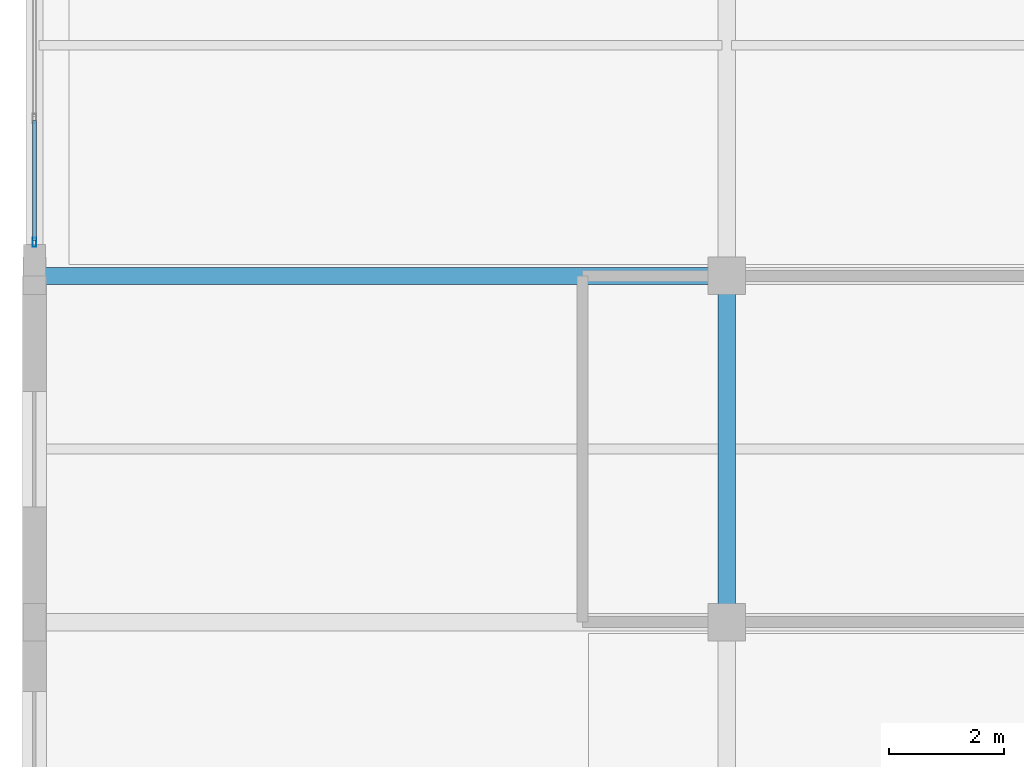
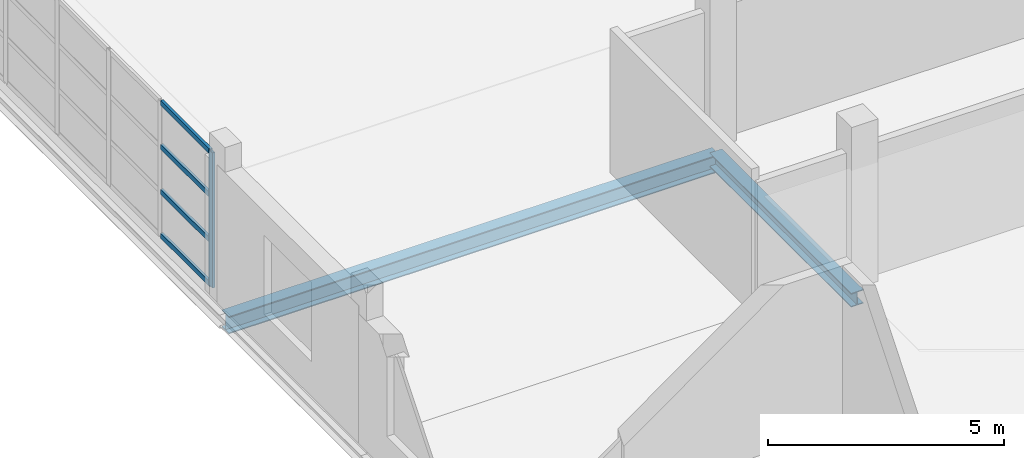
# One storey, part 54 of 158: 5 members, 2 beams, 1 element without a shape of its own.
"""IFC4 building model written with IfcOpenShell, lengths in metres."""

from ifc_helpers import new_model, si_unit, direction, frame, origin, origin_2d, place, context, subcontext, project, spatial, hollow_rectangle, i_section, extrude, material, layer, layer_set, material_profile, profile_set, type_object, element, aggregate, save


model = new_model("IFC4")

# Units and contexts
model_context = context("Model", 3, precision=1e-05, world=origin(), true_north=direction((0.0, 1.0)))
body_context = subcontext(model_context, "Body", "Model", "MODEL_VIEW")
ifc_project = project(units=[si_unit("LENGTHUNIT", "METRE"), si_unit("AREAUNIT", "SQUARE_METRE"), si_unit("VOLUMEUNIT", "CUBIC_METRE"), si_unit("PLANEANGLEUNIT", "RADIAN"), si_unit("MASSUNIT", "GRAM", prefix="KILO")], contexts=[model_context])

# Site, building, storey
site_placement = place(None, origin())
site = spatial("IfcSite", under=ifc_project, at=site_placement, CompositionType="ELEMENT")
building_placement = place(site_placement, origin())
building = spatial("IfcBuilding", under=site, at=building_placement, Name="Zilviju Railside Exhibition Hall", CompositionType="ELEMENT")
storey_placement = place(building_placement, frame((0.0, 0.0, 4.199951171875)))
storey = spatial("IfcBuildingStorey", under=building, at=storey_placement, Name="L02", CompositionType="ELEMENT", Elevation=4.199951171875)

# Beams
ifc_material_1 = material(Name="Steel S355J2", Category="steel")
ifc_material_profile_1 = material_profile(ifc_material_1, i_section(OverallWidth=0.300048828125, OverallDepth=0.360107421875, WebThickness=0.012451171875, FlangeThickness=0.0224609375, at=origin_2d()), Name="HEB 360")
ifc_profile_set_1 = profile_set([ifc_material_profile_1], Name="Steel S355J2")
beam_type_1 = type_object("IfcBeamType", Name="BM-HEB360", PredefinedType="BEAM", material=ifc_profile_set_1)
beam_1_placement = place(storey_placement, frame((12.0, 120.0, -0.530029296875), z_axis=(0.0, 1.0, 0.0), x_axis=(-1.0, 0.0, 0.0)))
element("IfcBeam", 1, at=beam_1_placement, inside=storey, type_object=beam_type_1, Name="Transverse Girder L02 X=12.0 (120.0..126.0)", PredefinedType="BEAM", context=body_context, shape_type="SweptSolid", body=[
    extrude(i_section(OverallWidth=0.300048828125, OverallDepth=0.360107421875, WebThickness=0.012451171875, FlangeThickness=0.0224609375, at=origin_2d()), origin(), (0.0, 0.0, 1.0), 6.0),
])
ifc_material_profile_2 = material_profile(ifc_material_1, i_section(OverallWidth=0.300048828125, OverallDepth=0.449951171875, WebThickness=0.013916015625, FlangeThickness=0.02587890625, at=origin_2d()), Name="HEB 450")
ifc_profile_set_2 = profile_set([ifc_material_profile_2], Name="Steel S355J2")
beam_type_2 = type_object("IfcBeamType", Name="BM-HEB450", PredefinedType="BEAM", material=ifc_profile_set_2)
beam_2_placement = place(storey_placement, frame((0.0, 126.0, -0.574951171875), z_axis=(1.0, 0.0, 0.0), x_axis=(0.0, 1.0, 0.0)))
element("IfcBeam", 2, at=beam_2_placement, inside=storey, type_object=beam_type_2, Name="Primary Girder L02 Y=126.0 (0.0..12.0)", PredefinedType="BEAM", context=body_context, shape_type="SweptSolid", body=[
    extrude(i_section(OverallWidth=0.300048828125, OverallDepth=0.449951171875, WebThickness=0.013916015625, FlangeThickness=0.02587890625, at=origin_2d()), origin(), (0.0, 0.0, 1.0), 12.0),
])

# Curtain wall, members
ifc_material_2 = material(Name="Thermally broken aluminium-steel triple-glazed curtain wall", Category="steel")
ifc_layer = layer(ifc_material_2, 0.179931640625)
ifc_layer_set = layer_set([ifc_layer], Name="Thermally broken aluminium-steel triple-glazed curtain wall")
curtain_wall_type = type_object("IfcCurtainWallType", Name="CW-BAY-04", PredefinedType="USERDEFINED", material=ifc_layer_set)
curtain_wall_placement = place(storey_placement, origin())
curtain_wall = element("IfcCurtainWall", 3, at=curtain_wall_placement, inside=storey, type_object=curtain_wall_type, Name="Organisers Wing Jugendstils Erkeri Curtain Wall L02", ObjectType="GLAZED CURTAIN WALL", PredefinedType="USERDEFINED")
ifc_material_3 = material(Name="Thermally broken anodized aluminium mullion", Category="aluminium")
ifc_material_profile_3 = material_profile(ifc_material_3, hollow_rectangle(XDim=0.06494140625, YDim=0.159912109375, WallThickness=0.0048828125, at=origin_2d()), Name="MULLION 160x65x5")
ifc_profile_set_3 = profile_set([ifc_material_profile_3], Name="Thermally broken anodized aluminium mullion")
member_type_1 = type_object("IfcMemberType", Name="CWM-65x160", PredefinedType="MULLION", material=ifc_profile_set_3)
member_1_placement = place(storey_placement, frame((0.0, 126.58251953125, 0.0), z_axis=(0.0, 0.0, 1.0), x_axis=(-1.0, 0.0, 0.0)))
member_1 = element("IfcMember", 4, at=member_1_placement, type_object=member_type_1, Name="CW-04 mullion 1", PredefinedType="MULLION", context=body_context, shape_type="SweptSolid", body=[
    extrude(hollow_rectangle(XDim=0.06494140625, YDim=0.159912109375, WallThickness=0.0048828125, at=origin_2d()), origin(), (0.0, 0.0, 1.0), 3.5),
])
ifc_material_4 = material(Name="Thermally broken anodized aluminium transom", Category="aluminium")
ifc_material_profile_4 = material_profile(ifc_material_4, hollow_rectangle(XDim=0.06494140625, YDim=0.1298828125, WallThickness=0.0048828125, at=origin_2d()), Name="TRANSOM 130x65x5")
ifc_profile_set_4 = profile_set([ifc_material_profile_4], Name="Thermally broken anodized aluminium transom")
member_type_2 = type_object("IfcMemberType", Name="CWT-65x130", PredefinedType="USERDEFINED", material=ifc_profile_set_4)
member_2_placement = place(storey_placement, frame((0.0, 126.614990234375, 0.032470703125), z_axis=(0.0, 1.0, 0.0), x_axis=(-1.0, 0.0, 0.0)))
member_2 = element("IfcMember", 5, at=member_2_placement, type_object=member_type_2, Name="CW-04 transom 1.1", ObjectType="TRANSOM", PredefinedType="USERDEFINED", context=body_context, shape_type="SweptSolid", body=[
    extrude(hollow_rectangle(XDim=0.06494140625, YDim=0.1298828125, WallThickness=0.0048828125, at=origin_2d()), origin(), (0.0, 0.0, 1.0), 2.08251953125),
])
member_3_placement = place(storey_placement, frame((0.0, 126.614990234375, 1.1669921875), z_axis=(0.0, 1.0, 0.0), x_axis=(-1.0, 0.0, 0.0)))
member_3 = element("IfcMember", 6, at=member_3_placement, type_object=member_type_2, Name="CW-04 transom 1.2", ObjectType="TRANSOM", PredefinedType="USERDEFINED", context=body_context, shape_type="SweptSolid", body=[
    extrude(hollow_rectangle(XDim=0.06494140625, YDim=0.1298828125, WallThickness=0.0048828125, at=origin_2d()), origin(), (0.0, 0.0, 1.0), 2.08251953125),
])
member_4_placement = place(storey_placement, frame((0.0, 126.614990234375, 2.3330078125), z_axis=(0.0, 1.0, 0.0), x_axis=(-1.0, 0.0, 0.0)))
member_4 = element("IfcMember", 7, at=member_4_placement, type_object=member_type_2, Name="CW-04 transom 1.3", ObjectType="TRANSOM", PredefinedType="USERDEFINED", context=body_context, shape_type="SweptSolid", body=[
    extrude(hollow_rectangle(XDim=0.06494140625, YDim=0.1298828125, WallThickness=0.0048828125, at=origin_2d()), origin(), (0.0, 0.0, 1.0), 2.08251953125),
])
member_5_placement = place(storey_placement, frame((0.0, 126.614990234375, 3.467529296875), z_axis=(0.0, 1.0, 0.0), x_axis=(-1.0, 0.0, 0.0)))
member_5 = element("IfcMember", 8, at=member_5_placement, type_object=member_type_2, Name="CW-04 transom 1.4", ObjectType="TRANSOM", PredefinedType="USERDEFINED", context=body_context, shape_type="SweptSolid", body=[
    extrude(hollow_rectangle(XDim=0.06494140625, YDim=0.1298828125, WallThickness=0.0048828125, at=origin_2d()), origin(), (0.0, 0.0, 1.0), 2.08251953125),
])
aggregate(curtain_wall, [member_1, member_2, member_3, member_4, member_5])

save(model, "model.ifc")
